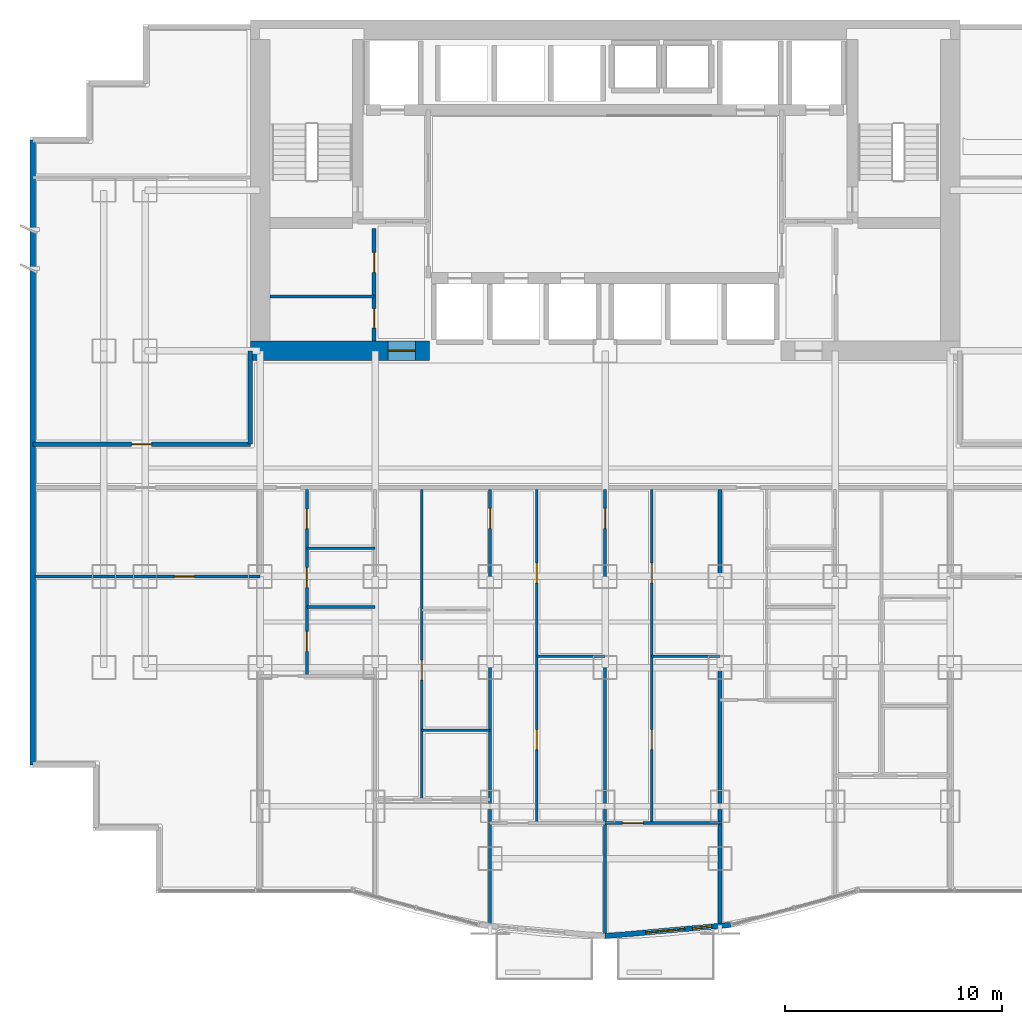
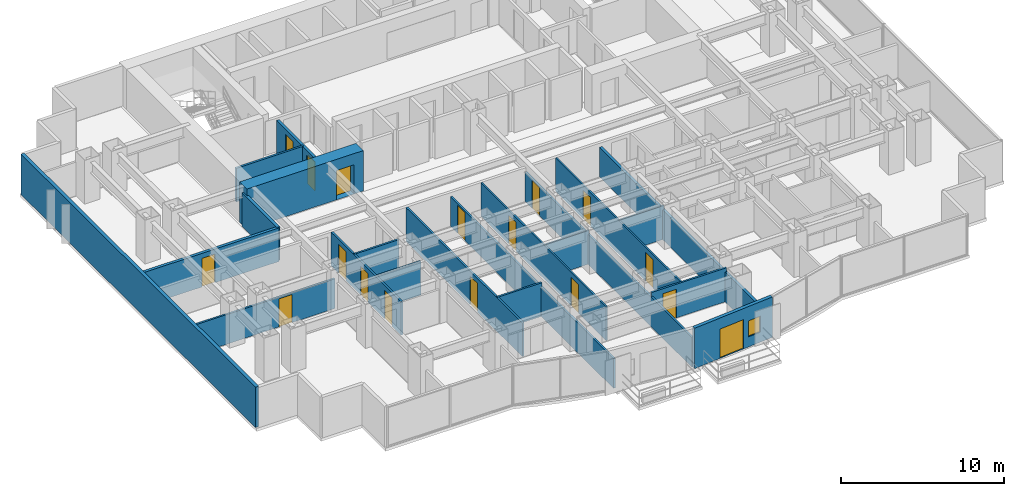
# One storey, part 7 of 12: 21 walls, 17 doors, 1 window, 18 openings.
"""IFC4 building model written with IfcOpenShell, lengths in metres."""

from ifc_helpers import new_model, si_unit, direction, frame, frame_2d, origin, place, context, subcontext, project, spatial, rectangle, extrude, material, layer, layer_set, type_object, element, fill, save


model = new_model("IFC4")

# Units and contexts
model_context = context("Model", 3, precision=1e-05, world=origin(), true_north=direction((0.0, 1.0)))
body_context = subcontext(model_context, "Body", "Model", "MODEL_VIEW")
ifc_project = project(units=[si_unit("LENGTHUNIT", "METRE"), si_unit("AREAUNIT", "SQUARE_METRE"), si_unit("VOLUMEUNIT", "CUBIC_METRE"), si_unit("PLANEANGLEUNIT", "RADIAN"), si_unit("MASSUNIT", "GRAM", prefix="KILO")], contexts=[model_context])

# Site, building, storey
site_placement = place(None, origin())
site = spatial("IfcSite", under=ifc_project, at=site_placement, CompositionType="ELEMENT")
building_placement = place(site_placement, origin())
building = spatial("IfcBuilding", under=site, at=building_placement, Name="Qianlan Lanfeng Residences", CompositionType="ELEMENT")
storey_placement = place(building_placement, frame((0.0, 0.0, 67.10009765625)))
storey = spatial("IfcBuildingStorey", under=building, at=storey_placement, Name="L18", CompositionType="ELEMENT", Elevation=67.10009765625)

# Wall, opening, door
ifc_material_1 = material(Name="Concrete C70", Category="concrete")
ifc_layer_1 = layer(ifc_material_1, 0.89990234375)
ifc_layer_set_1 = layer_set([ifc_layer_1], Name="Concrete C70")
wall_type_1 = type_object("IfcWallType", Name="CW-RC-900", PredefinedType="SHEAR", material=ifc_layer_set_1)
wall_1_placement = place(storey_placement, frame((10.14990234375, 25.199951171875, 0.0), z_axis=(0.0, 0.0, 1.0), x_axis=(1.0, 0.0, 0.0)))
wall_1 = element("IfcWall", 1, at=wall_1_placement, inside=storey, type_object=wall_type_1, Name="L18 Core Shear Wall SW", PredefinedType="SHEAR", context=body_context, shape_type="SweptSolid", body=[
    extrude(rectangle(XDim=8.25, YDim=0.89990234375, at=frame_2d((4.125, 0.0))), origin(), (0.0, 0.0, 1.0), 3.02978515625),
])
opening_1_placement = place(wall_1_placement, frame((6.35009765625, 0.0, 0.0)))
opening_1 = element("IfcOpeningElement", 2, at=opening_1_placement, cuts=wall_1, Name="Opening L18-D01", PredefinedType="OPENING", context=body_context, shape_type="SweptSolid", body=[
    extrude(rectangle(XDim=1.25, YDim=2.199951171875, at=frame_2d((0.625, 1.10009765625))), frame((0.0, 0.4599609375, 0.0), z_axis=(0.0, -1.0, 0.0), x_axis=(1.0, 0.0, 0.0)), (0.0, 0.0, 1.0), 0.919921875),
])
ifc_material_2 = material(Name="Painted Galvanised Steel Fire Door", Category="steel")
door_type_1 = type_object("IfcDoorType", Name="DT-FFL", OperationType="NOTDEFINED", PredefinedType="DOOR", material=ifc_material_2)
door_1_placement = place(opening_1_placement, frame((1.25, 0.0, 0.0), z_axis=(0.0, 0.0, 1.0), x_axis=(-1.0, 0.0, 0.0)))
door_1 = element("IfcDoor", 3, at=door_1_placement, inside=storey, type_object=door_type_1, Name="L18 West Core Lobby Smoke Door L18-D01 (DT-FFL)", OperationType="SINGLE_SWING_RIGHT", OverallHeight=2.199951171875, OverallWidth=1.25, PredefinedType="DOOR", context=body_context, shape_type="SweptSolid", body=[
    extrude(rectangle(XDim=1.25, YDim=2.199951171875, at=frame_2d((0.625, 1.10009765625))), frame((0.0, 0.02490234375, 0.0), z_axis=(0.0, -1.0, 0.0), x_axis=(1.0, 0.0, 0.0)), (0.0, 0.0, 1.0), 0.050048828125),
])
fill(opening_1, door_1)

# Wall, openings, door, window
ifc_material_3 = material(Name="Concrete C42", Category="concrete")
ifc_layer_2 = layer(ifc_material_3, 0.239990234375)
ifc_layer_set_2 = layer_set([ifc_layer_2], Name="Concrete C42")
wall_type_2 = type_object("IfcWallType", Name="EW-240", PredefinedType="SOLIDWALL", material=ifc_layer_set_2)
wall_2_placement = place(storey_placement, frame((26.5, -1.780029296875, 0.0), z_axis=(0.0, 0.0, 1.0), x_axis=(0.995965344947, 0.089738685436, 0.0)))
wall_2 = element("IfcWall", 4, at=wall_2_placement, inside=storey, type_object=wall_type_2, Name="L18 Terrace/Balcony Access Exterior Wall 6", PredefinedType="SOLIDWALL", context=body_context, shape_type="SweptSolid", body=[
    extrude(rectangle(XDim=5.827392578125, YDim=0.239990234375, at=frame_2d((2.91357421875, 0.0))), origin(), (0.0, 0.0, 1.0), 3.02978515625),
])
opening_2_placement = place(wall_2_placement, frame((1.8798828125, 0.0, 0.0)))
opening_2 = element("IfcOpeningElement", 5, at=opening_2_placement, cuts=wall_2, Name="Opening L18-D-SB-E", PredefinedType="OPENING", context=body_context, shape_type="SweptSolid", body=[
    extrude(rectangle(XDim=1.800048828125, YDim=2.199951171875, at=frame_2d((0.89990234375, 1.10009765625))), frame((0.0, 0.1298828125, 0.0), z_axis=(0.0, -1.0, 0.0), x_axis=(1.0, 0.0, 0.0)), (0.0, 0.0, 1.0), 0.260009765625),
])
opening_3_placement = place(wall_2_placement, frame((4.0390625, 0.0, 0.75)))
opening_3 = element("IfcOpeningElement", 6, at=opening_3_placement, cuts=wall_2, Name="Opening W-04", PredefinedType="OPENING", context=body_context, shape_type="SweptSolid", body=[
    extrude(rectangle(XDim=0.89990234375, YDim=1.199951171875, at=frame_2d((0.449951171875, 0.60009765625))), frame((0.0, 0.1298828125, 0.0), z_axis=(0.0, -1.0, 0.0), x_axis=(1.0, 0.0, 0.0)), (0.0, 0.0, 1.0), 0.260009765625),
])
ifc_material_4 = material(Name="Anodised Bronze Aluminium Framed Glass", Category="aluminium")
door_type_2 = type_object("IfcDoorType", Name="DT-BAL1", OperationType="NOTDEFINED", PredefinedType="DOOR", material=ifc_material_4)
door_2_placement = place(opening_2_placement, frame((1.800048828125, 0.0, 0.0), z_axis=(0.0, 0.0, 1.0), x_axis=(-1.0, 0.0, 0.0)))
door_2 = element("IfcDoor", 7, at=door_2_placement, inside=storey, type_object=door_type_2, Name="L18 Exterior Access Door SB-E", OperationType="DOUBLE_DOOR_SLIDING", OverallHeight=2.199951171875, OverallWidth=1.800048828125, PredefinedType="DOOR", context=body_context, shape_type="SweptSolid", body=[
    extrude(rectangle(XDim=1.800048828125, YDim=2.199951171875, at=frame_2d((0.89990234375, 1.10009765625))), frame((0.0, 0.02490234375, 0.0), z_axis=(0.0, -1.0, 0.0), x_axis=(1.0, 0.0, 0.0)), (0.0, 0.0, 1.0), 0.050048828125),
])
fill(opening_2, door_2)
ifc_material_5 = material(Name="Anodised Bronze Aluminium Framed Double Glazing", Category="aluminium")
window_type = type_object("IfcWindowType", Name="W-04", PartitioningType="SINGLE_PANEL", PredefinedType="WINDOW", material=ifc_material_5)
window_placement = place(opening_3_placement, origin())
window = element("IfcWindow", 8, at=window_placement, inside=storey, type_object=window_type, Name="L18 Exterior Window W-03", OverallHeight=1.199951171875, OverallWidth=0.89990234375, PartitioningType="SINGLE_PANEL", PredefinedType="WINDOW", context=body_context, shape_type="SweptSolid", body=[
    extrude(rectangle(XDim=0.89990234375, YDim=1.199951171875, at=frame_2d((0.449951171875, 0.60009765625))), frame((0.0, 0.030029296875, 0.0), z_axis=(0.0, -1.0, 0.0), x_axis=(1.0, 0.0, 0.0)), (0.0, 0.0, 1.0), 0.06005859375),
])
fill(opening_3, window)

# Wall
wall_3_placement = place(storey_placement, frame((0.1201171875, 34.929931640625, 0.0), z_axis=(0.0, 0.0, 1.0), x_axis=(0.0, -1.0, 0.0)))
element("IfcWall", 9, at=wall_3_placement, inside=storey, type_object=wall_type_2, Name="L18 Exterior Facade Spandrel Wall 21", PredefinedType="SOLIDWALL", context=body_context, shape_type="SweptSolid", body=[
    extrude(rectangle(XDim=28.809814453125, YDim=0.239990234375, at=frame_2d((14.40478515625, 0.0))), origin(), (0.0, 0.0, 1.0), 3.02978515625),
])

# Wall, openings, doors
ifc_material_6 = material(Name="Demountable Acoustic Framing Partition 110 mm")
ifc_layer_3 = layer(ifc_material_6, 0.110107421875)
ifc_layer_set_3 = layer_set([ifc_layer_3], Name="Demountable Acoustic Framing Partition 110 mm")
wall_type_3 = type_object("IfcWallType", Name="PW-110", PredefinedType="MOVABLE", material=ifc_layer_set_3)
wall_4_placement = place(storey_placement, frame((23.35009765625, 3.43408203125, 0.0), z_axis=(0.0, 0.0, 1.0), x_axis=(0.0, 1.0, 0.0)))
wall_4 = element("IfcWall", 10, at=wall_4_placement, inside=storey, type_object=wall_type_3, Name="L18 U01 Bedroom 2 Hall Wall", PredefinedType="MOVABLE", context=body_context, shape_type="SweptSolid", body=[
    extrude(rectangle(XDim=15.365966796875, YDim=0.110107421875, at=frame_2d((7.68310546875, 0.0))), origin(), (0.0, 0.0, 1.0), 2.52001953125),
])
opening_4_placement = place(wall_4_placement, frame((3.381103515625, 0.0, 0.0)))
opening_4 = element("IfcOpeningElement", 11, at=opening_4_placement, cuts=wall_4, Name="Opening L18-D27", PredefinedType="OPENING", context=body_context, shape_type="SweptSolid", body=[
    extrude(rectangle(XDim=0.919921875, YDim=2.14990234375, at=frame_2d((0.4599609375, 1.074951171875))), frame((0.0, 0.06494140625, 0.0), z_axis=(0.0, -1.0, 0.0), x_axis=(1.0, 0.0, 0.0)), (0.0, 0.0, 1.0), 0.130126953125),
])
opening_5_placement = place(wall_4_placement, frame((11.06494140625, 0.0, 0.0)))
opening_5 = element("IfcOpeningElement", 12, at=opening_5_placement, cuts=wall_4, Name="Opening L18-D28", PredefinedType="OPENING", context=body_context, shape_type="SweptSolid", body=[
    extrude(rectangle(XDim=0.919921875, YDim=2.14990234375, at=frame_2d((0.4599609375, 1.074951171875))), frame((0.0, 0.06494140625, 0.0), z_axis=(0.0, -1.0, 0.0), x_axis=(1.0, 0.0, 0.0)), (0.0, 0.0, 1.0), 0.130126953125),
])
ifc_material_7 = material(Name="Glazed Timber Kitchen/Study Door", Category="wood")
door_type_3 = type_object("IfcDoorType", Name="DT-INT", OperationType="NOTDEFINED", PredefinedType="DOOR", material=ifc_material_7)
door_3_placement = place(opening_4_placement, origin())
door_3 = element("IfcDoor", 13, at=door_3_placement, inside=storey, type_object=door_type_3, Name="L18 U01 Utility Door L18-D27 (DT-INT)", OperationType="SINGLE_SWING_LEFT", OverallHeight=2.14990234375, OverallWidth=0.919921875, PredefinedType="DOOR", context=body_context, shape_type="SweptSolid", body=[
    extrude(rectangle(XDim=0.919921875, YDim=2.14990234375, at=frame_2d((0.4599609375, 1.074951171875))), frame((0.0, 0.02490234375, 0.0), z_axis=(0.0, -1.0, 0.0), x_axis=(1.0, 0.0, 0.0)), (0.0, 0.0, 1.0), 0.050048828125),
])
fill(opening_4, door_3)
door_4_placement = place(opening_5_placement, origin())
door_4 = element("IfcDoor", 14, at=door_4_placement, inside=storey, type_object=door_type_3, Name="L18 U01 Specialty Door L18-D28 (DT-INT)", OperationType="SINGLE_SWING_RIGHT", OverallHeight=2.14990234375, OverallWidth=0.919921875, PredefinedType="DOOR", context=body_context, shape_type="SweptSolid", body=[
    extrude(rectangle(XDim=0.919921875, YDim=2.14990234375, at=frame_2d((0.4599609375, 1.074951171875))), frame((0.0, 0.02490234375, 0.0), z_axis=(0.0, -1.0, 0.0), x_axis=(1.0, 0.0, 0.0)), (0.0, 0.0, 1.0), 0.050048828125),
])
fill(opening_5, door_4)

# Wall
wall_5_placement = place(storey_placement, frame((23.35009765625, 11.116943359375, 0.0), z_axis=(0.0, 0.0, 1.0), x_axis=(1.0, 0.0, 0.0)))
element("IfcWall", 15, at=wall_5_placement, inside=storey, type_object=wall_type_3, Name="L18 U01 Specialty Split Wall", PredefinedType="MOVABLE", context=body_context, shape_type="SweptSolid", body=[
    extrude(rectangle(XDim=3.14990234375, YDim=0.110107421875, at=frame_2d((1.574951171875, 0.0))), origin(), (0.0, 0.0, 1.0), 2.52001953125),
])

# Wall, openings, doors
wall_6_placement = place(storey_placement, frame((28.64990234375, 3.43408203125, 0.0), z_axis=(0.0, 0.0, 1.0), x_axis=(0.0, 1.0, 0.0)))
wall_6 = element("IfcWall", 16, at=wall_6_placement, inside=storey, type_object=wall_type_3, Name="L18 U01 Bedroom 3 Hall Wall", PredefinedType="MOVABLE", context=body_context, shape_type="SweptSolid", body=[
    extrude(rectangle(XDim=15.365966796875, YDim=0.110107421875, at=frame_2d((7.68310546875, 0.0))), origin(), (0.0, 0.0, 1.0), 2.52001953125),
])
opening_6_placement = place(wall_6_placement, frame((3.381103515625, 0.0, 0.0)))
opening_6 = element("IfcOpeningElement", 17, at=opening_6_placement, cuts=wall_6, Name="Opening L18-D30", PredefinedType="OPENING", context=body_context, shape_type="SweptSolid", body=[
    extrude(rectangle(XDim=0.919921875, YDim=2.14990234375, at=frame_2d((0.4599609375, 1.074951171875))), frame((0.0, 0.06494140625, 0.0), z_axis=(0.0, -1.0, 0.0), x_axis=(1.0, 0.0, 0.0)), (0.0, 0.0, 1.0), 0.130126953125),
])
opening_7_placement = place(wall_6_placement, frame((11.06494140625, 0.0, 0.0)))
opening_7 = element("IfcOpeningElement", 18, at=opening_7_placement, cuts=wall_6, Name="Opening L18-D31", PredefinedType="OPENING", context=body_context, shape_type="SweptSolid", body=[
    extrude(rectangle(XDim=0.919921875, YDim=2.14990234375, at=frame_2d((0.4599609375, 1.074951171875))), frame((0.0, 0.06494140625, 0.0), z_axis=(0.0, -1.0, 0.0), x_axis=(1.0, 0.0, 0.0)), (0.0, 0.0, 1.0), 0.130126953125),
])
door_5_placement = place(opening_6_placement, origin())
door_5 = element("IfcDoor", 19, at=door_5_placement, inside=storey, type_object=door_type_3, Name="L18 U01 Utility Door L18-D30 (DT-INT)", OperationType="SINGLE_SWING_RIGHT", OverallHeight=2.14990234375, OverallWidth=0.919921875, PredefinedType="DOOR", context=body_context, shape_type="SweptSolid", body=[
    extrude(rectangle(XDim=0.919921875, YDim=2.14990234375, at=frame_2d((0.4599609375, 1.074951171875))), frame((0.0, 0.02490234375, 0.0), z_axis=(0.0, -1.0, 0.0), x_axis=(1.0, 0.0, 0.0)), (0.0, 0.0, 1.0), 0.050048828125),
])
fill(opening_6, door_5)
door_6_placement = place(opening_7_placement, origin())
door_6 = element("IfcDoor", 20, at=door_6_placement, inside=storey, type_object=door_type_3, Name="L18 U01 Specialty Door L18-D31 (DT-INT)", OperationType="SINGLE_SWING_LEFT", OverallHeight=2.14990234375, OverallWidth=0.919921875, PredefinedType="DOOR", context=body_context, shape_type="SweptSolid", body=[
    extrude(rectangle(XDim=0.919921875, YDim=2.14990234375, at=frame_2d((0.4599609375, 1.074951171875))), frame((0.0, 0.02490234375, 0.0), z_axis=(0.0, -1.0, 0.0), x_axis=(1.0, 0.0, 0.0)), (0.0, 0.0, 1.0), 0.050048828125),
])
fill(opening_7, door_6)

# Wall
wall_7_placement = place(storey_placement, frame((28.64990234375, 11.116943359375, 0.0), z_axis=(0.0, 0.0, 1.0), x_axis=(1.0, 0.0, 0.0)))
element("IfcWall", 21, at=wall_7_placement, inside=storey, type_object=wall_type_3, Name="L18 U01 Specialty Split Wall", PredefinedType="MOVABLE", context=body_context, shape_type="SweptSolid", body=[
    extrude(rectangle(XDim=3.150146484375, YDim=0.110107421875, at=frame_2d((1.5751953125, 0.0))), origin(), (0.0, 0.0, 1.0), 2.52001953125),
])

# Wall, opening, door
ifc_material_8 = material(Name="Moisture-Resistant Gypsum Partition 135 mm")
ifc_layer_4 = layer(ifc_material_8, 0.135009765625)
ifc_layer_set_4 = layer_set([ifc_layer_4], Name="Moisture-Resistant Gypsum Partition 135 mm")
wall_type_4 = type_object("IfcWallType", Name="PW-135", PredefinedType="PARTITIONING", material=ifc_layer_set_4)
wall_8_placement = place(storey_placement, frame((21.199951171875, -1.235107421875, 0.0), z_axis=(0.0, 0.0, 1.0), x_axis=(0.0, 1.0, 0.0)))
wall_8 = element("IfcWall", 22, at=wall_8_placement, inside=storey, type_object=wall_type_4, Name="L18 U01 Bay Spine Wall 2", PredefinedType="PARTITIONING", context=body_context, shape_type="SweptSolid", body=[
    extrude(rectangle(XDim=20.03515625, YDim=0.135009765625, at=frame_2d((10.017578125, 0.0))), origin(), (0.0, 0.0, 1.0), 2.224853515625),
])
opening_8_placement = place(wall_8_placement, frame((18.25, 0.0, 0.0)))
opening_8 = element("IfcOpeningElement", 23, at=opening_8_placement, cuts=wall_8, Name="Opening L18-D16", PredefinedType="OPENING", context=body_context, shape_type="SweptSolid", body=[
    extrude(rectangle(XDim=0.919921875, YDim=2.10498046875, at=frame_2d((0.4599609375, 1.052490234375))), frame((0.0, 0.07763671875, 0.0), z_axis=(0.0, -1.0, 0.0), x_axis=(1.0, 0.0, 0.0)), (0.0, 0.0, 1.0), 0.155029296875),
])
door_7_placement = place(opening_8_placement, origin())
door_7 = element("IfcDoor", 24, at=door_7_placement, inside=storey, type_object=door_type_3, Name="L18 U01 Internal Hall Door L18-D16 (DT-INT)", OperationType="SINGLE_SWING_RIGHT", OverallHeight=2.10498046875, OverallWidth=0.919921875, PredefinedType="DOOR", context=body_context, shape_type="SweptSolid", body=[
    extrude(rectangle(XDim=0.919921875, YDim=2.10498046875, at=frame_2d((0.4599609375, 1.052490234375))), frame((0.0, 0.02490234375, 0.0), z_axis=(0.0, -1.0, 0.0), x_axis=(1.0, 0.0, 0.0)), (0.0, 0.0, 1.0), 0.050048828125),
])
fill(opening_8, door_7)

wall_9_placement = place(storey_placement, frame((26.5, -1.679931640625, 0.0), z_axis=(0.0, 0.0, 1.0), x_axis=(0.0, 1.0, 0.0)))
wall_9 = element("IfcWall", 25, at=wall_9_placement, inside=storey, type_object=wall_type_4, Name="L18 U01 Bay Spine Wall 3", PredefinedType="PARTITIONING", context=body_context, shape_type="SweptSolid", body=[
    extrude(rectangle(XDim=20.47998046875, YDim=0.135009765625, at=frame_2d((10.239990234375, 0.0))), origin(), (0.0, 0.0, 1.0), 2.224853515625),
])
opening_9_placement = place(wall_9_placement, frame((18.695068359375, 0.0, 0.0)))
opening_9 = element("IfcOpeningElement", 26, at=opening_9_placement, cuts=wall_9, Name="Opening L18-D17", PredefinedType="OPENING", context=body_context, shape_type="SweptSolid", body=[
    extrude(rectangle(XDim=0.919921875, YDim=2.10498046875, at=frame_2d((0.4599609375, 1.052490234375))), frame((0.0, 0.07763671875, 0.0), z_axis=(0.0, -1.0, 0.0), x_axis=(1.0, 0.0, 0.0)), (0.0, 0.0, 1.0), 0.155029296875),
])
door_8_placement = place(opening_9_placement, origin())
door_8 = element("IfcDoor", 27, at=door_8_placement, inside=storey, type_object=door_type_3, Name="L18 U01 Internal Hall Door L18-D17 (DT-INT)", OperationType="SINGLE_SWING_LEFT", OverallHeight=2.10498046875, OverallWidth=0.919921875, PredefinedType="DOOR", context=body_context, shape_type="SweptSolid", body=[
    extrude(rectangle(XDim=0.919921875, YDim=2.10498046875, at=frame_2d((0.4599609375, 1.052490234375))), frame((0.0, 0.02490234375, 0.0), z_axis=(0.0, -1.0, 0.0), x_axis=(1.0, 0.0, 0.0)), (0.0, 0.0, 1.0), 0.050048828125),
])
fill(opening_9, door_8)

# Wall, openings, doors
wall_10_placement = place(storey_placement, frame((12.75, 10.219970703125, 0.0), z_axis=(0.0, 0.0, 1.0), x_axis=(0.0, 1.0, 0.0)))
wall_10 = element("IfcWall", 28, at=wall_10_placement, inside=storey, type_object=wall_type_4, Name="L18 U01 Entry Hall Spine", PredefinedType="PARTITIONING", context=body_context, shape_type="SweptSolid", body=[
    extrude(rectangle(XDim=8.580078125, YDim=0.135009765625, at=frame_2d((4.2900390625, 0.0))), origin(), (0.0, 0.0, 1.0), 2.52001953125),
])
opening_10_placement = place(wall_10_placement, frame((1.1298828125, 0.0, 0.0)))
opening_10 = element("IfcOpeningElement", 29, at=opening_10_placement, cuts=wall_10, Name="Opening L18-D19", PredefinedType="OPENING", context=body_context, shape_type="SweptSolid", body=[
    extrude(rectangle(XDim=0.919921875, YDim=2.14990234375, at=frame_2d((0.4599609375, 1.074951171875))), frame((0.0, 0.07763671875, 0.0), z_axis=(0.0, -1.0, 0.0), x_axis=(1.0, 0.0, 0.0)), (0.0, 0.0, 1.0), 0.155029296875),
])
opening_11_placement = place(wall_10_placement, frame((4.070068359375, 0.0, 0.0)))
opening_11 = element("IfcOpeningElement", 30, at=opening_11_placement, cuts=wall_10, Name="Opening L18-D20", PredefinedType="OPENING", context=body_context, shape_type="SweptSolid", body=[
    extrude(rectangle(XDim=0.919921875, YDim=2.14990234375, at=frame_2d((0.4599609375, 1.074951171875))), frame((0.0, 0.07763671875, 0.0), z_axis=(0.0, -1.0, 0.0), x_axis=(1.0, 0.0, 0.0)), (0.0, 0.0, 1.0), 0.155029296875),
])
opening_12_placement = place(wall_10_placement, frame((6.780029296875, 0.0, 0.0)))
opening_12 = element("IfcOpeningElement", 31, at=opening_12_placement, cuts=wall_10, Name="Opening L18-D21", PredefinedType="OPENING", context=body_context, shape_type="SweptSolid", body=[
    extrude(rectangle(XDim=0.89990234375, YDim=2.14990234375, at=frame_2d((0.449951171875, 1.074951171875))), frame((0.0, 0.07763671875, 0.0), z_axis=(0.0, -1.0, 0.0), x_axis=(1.0, 0.0, 0.0)), (0.0, 0.0, 1.0), 0.155029296875),
])
door_9_placement = place(opening_10_placement, origin())
door_9 = element("IfcDoor", 32, at=door_9_placement, inside=storey, type_object=door_type_3, Name="L18 U01 Study Door L18-D19 (DT-INT)", OperationType="SINGLE_SWING_LEFT", OverallHeight=2.14990234375, OverallWidth=0.919921875, PredefinedType="DOOR", context=body_context, shape_type="SweptSolid", body=[
    extrude(rectangle(XDim=0.919921875, YDim=2.14990234375, at=frame_2d((0.4599609375, 1.074951171875))), frame((0.0, 0.02490234375, 0.0), z_axis=(0.0, -1.0, 0.0), x_axis=(1.0, 0.0, 0.0)), (0.0, 0.0, 1.0), 0.050048828125),
])
fill(opening_10, door_9)
door_10_placement = place(opening_11_placement, origin())
door_10 = element("IfcDoor", 33, at=door_10_placement, inside=storey, type_object=door_type_3, Name="L18 U01 Kitchen Door L18-D20 (DT-INT)", OperationType="SINGLE_SWING_RIGHT", OverallHeight=2.14990234375, OverallWidth=0.919921875, PredefinedType="DOOR", context=body_context, shape_type="SweptSolid", body=[
    extrude(rectangle(XDim=0.919921875, YDim=2.14990234375, at=frame_2d((0.4599609375, 1.074951171875))), frame((0.0, 0.02490234375, 0.0), z_axis=(0.0, -1.0, 0.0), x_axis=(1.0, 0.0, 0.0)), (0.0, 0.0, 1.0), 0.050048828125),
])
fill(opening_11, door_10)
ifc_material_9 = material(Name="Moisture-Resistant Timber Leaf", Category="wood")
door_type_4 = type_object("IfcDoorType", Name="DT-WC", OperationType="NOTDEFINED", PredefinedType="DOOR", material=ifc_material_9)
door_11_placement = place(opening_12_placement, origin())
door_11 = element("IfcDoor", 34, at=door_11_placement, inside=storey, type_object=door_type_4, Name="L18 U01 Bathroom Door L18-D21 (DT-WC)", OperationType="SINGLE_SWING_LEFT", OverallHeight=2.14990234375, OverallWidth=0.89990234375, PredefinedType="DOOR", context=body_context, shape_type="SweptSolid", body=[
    extrude(rectangle(XDim=0.89990234375, YDim=2.14990234375, at=frame_2d((0.449951171875, 1.074951171875))), frame((0.0, 0.02490234375, 0.0), z_axis=(0.0, -1.0, 0.0), x_axis=(1.0, 0.0, 0.0)), (0.0, 0.0, 1.0), 0.050048828125),
])
fill(opening_12, door_11)

# Walls
for number, where, z_axis, x_axis, name in (
    (35, (12.75, 13.39990234375, 0.0), (0.0, 0.0, 1.0), (1.0, 0.0, 0.0), "L18 U01 Kitchen South Wall"),
    (36, (12.75, 16.10009765625, 0.0), (0.0, 0.0, 1.0), (1.0, 0.0, 0.0), "L18 U01 Bathroom South Wall"),
):
    element("IfcWall", number, at=place(storey_placement, frame(where, z_axis=z_axis, x_axis=x_axis)), inside=storey, type_object=wall_type_4, Name=name, PredefinedType="PARTITIONING", context=body_context, shape_type="SweptSolid", body=[
        extrude(rectangle(XDim=3.14990234375, YDim=0.135009765625, at=frame_2d((1.574951171875, 0.0))), origin(), (0.0, 0.0, 1.0), 2.52001953125),
    ])

# Wall, opening, door
wall_11_placement = place(storey_placement, frame((18.050048828125, 4.511962890625, 0.0), z_axis=(0.0, 0.0, 1.0), x_axis=(0.0, 1.0, 0.0)))
wall_11 = element("IfcWall", 37, at=wall_11_placement, inside=storey, type_object=wall_type_4, Name="L18 U01 Master Passage Wall", PredefinedType="PARTITIONING", context=body_context, shape_type="SweptSolid", body=[
    extrude(rectangle(XDim=14.2880859375, YDim=0.135009765625, at=frame_2d((7.14404296875, 0.0))), origin(), (0.0, 0.0, 1.0), 2.52001953125),
])
opening_13_placement = place(wall_11_placement, frame((5.511962890625, 0.0, 0.0)))
opening_13 = element("IfcOpeningElement", 38, at=opening_13_placement, cuts=wall_11, Name="Opening L18-D24", PredefinedType="OPENING", context=body_context, shape_type="SweptSolid", body=[
    extrude(rectangle(XDim=0.919921875, YDim=2.14990234375, at=frame_2d((0.4599609375, 1.074951171875))), frame((0.0, 0.07763671875, 0.0), z_axis=(0.0, -1.0, 0.0), x_axis=(1.0, 0.0, 0.0)), (0.0, 0.0, 1.0), 0.155029296875),
])
door_12_placement = place(opening_13_placement, origin())
door_12 = element("IfcDoor", 39, at=door_12_placement, inside=storey, type_object=door_type_3, Name="L18 U01 Wardrobe Door L18-D24 (DT-INT)", OperationType="SINGLE_SWING_RIGHT", OverallHeight=2.14990234375, OverallWidth=0.919921875, PredefinedType="DOOR", context=body_context, shape_type="SweptSolid", body=[
    extrude(rectangle(XDim=0.919921875, YDim=2.14990234375, at=frame_2d((0.4599609375, 1.074951171875))), frame((0.0, 0.02490234375, 0.0), z_axis=(0.0, -1.0, 0.0), x_axis=(1.0, 0.0, 0.0)), (0.0, 0.0, 1.0), 0.050048828125),
])
fill(opening_13, door_12)

# Wall
wall_12_placement = place(storey_placement, frame((18.050048828125, 7.7119140625, 0.0), z_axis=(0.0, 0.0, 1.0), x_axis=(1.0, 0.0, 0.0)))
element("IfcWall", 40, at=wall_12_placement, inside=storey, type_object=wall_type_4, Name="L18 U01 En-Suite North Wall", PredefinedType="PARTITIONING", context=body_context, shape_type="SweptSolid", body=[
    extrude(rectangle(XDim=3.14990234375, YDim=0.135009765625, at=frame_2d((1.574951171875, 0.0))), origin(), (0.0, 0.0, 1.0), 2.52001953125),
])

# Wall, opening, door
wall_13_placement = place(storey_placement, frame((26.5, 3.43408203125, 0.0), z_axis=(0.0, 0.0, 1.0), x_axis=(1.0, 0.0, 0.0)))
wall_13 = element("IfcWall", 41, at=wall_13_placement, inside=storey, type_object=wall_type_4, Name="L18 U01 Bedroom 3 North Wall", PredefinedType="PARTITIONING", context=body_context, shape_type="SweptSolid", body=[
    extrude(rectangle(XDim=5.300048828125, YDim=0.135009765625, at=frame_2d((2.64990234375, 0.0))), origin(), (0.0, 0.0, 1.0), 2.52001953125),
])
opening_14_placement = place(wall_13_placement, frame((0.800048828125, 0.0, 0.0)))
opening_14 = element("IfcOpeningElement", 42, at=opening_14_placement, cuts=wall_13, Name="Opening L18-D29", PredefinedType="OPENING", context=body_context, shape_type="SweptSolid", body=[
    extrude(rectangle(XDim=0.949951171875, YDim=2.14990234375, at=frame_2d((0.47509765625, 1.074951171875))), frame((0.0, 0.07763671875, 0.0), z_axis=(0.0, -1.0, 0.0), x_axis=(1.0, 0.0, 0.0)), (0.0, 0.0, 1.0), 0.155029296875),
])
ifc_material_10 = material(Name="Painted Solid-Core Timber Leaf", Category="wood")
door_type_5 = type_object("IfcDoorType", Name="DT-BED", OperationType="NOTDEFINED", PredefinedType="DOOR", material=ifc_material_10)
door_13_placement = place(opening_14_placement, frame((0.949951171875, 0.0, 0.0), z_axis=(0.0, 0.0, 1.0), x_axis=(-1.0, 0.0, 0.0)))
door_13 = element("IfcDoor", 43, at=door_13_placement, inside=storey, type_object=door_type_5, Name="L18 U01 Bedroom 3 Door L18-D29 (DT-BED)", OperationType="SINGLE_SWING_LEFT", OverallHeight=2.14990234375, OverallWidth=0.949951171875, PredefinedType="DOOR", context=body_context, shape_type="SweptSolid", body=[
    extrude(rectangle(XDim=0.949951171875, YDim=2.14990234375, at=frame_2d((0.47509765625, 1.074951171875))), frame((0.0, 0.02490234375, 0.0), z_axis=(0.0, -1.0, 0.0), x_axis=(1.0, 0.0, 0.0)), (0.0, 0.0, 1.0), 0.050048828125),
])
fill(opening_14, door_13)

wall_14_placement = place(storey_placement, frame((0.219970703125, 14.800048828125, 0.0), z_axis=(0.0, 0.0, 1.0), x_axis=(1.0, 0.0, 0.0)))
wall_14 = element("IfcWall", 44, at=wall_14_placement, inside=storey, type_object=wall_type_4, Name="L18 SWP Mid Partition", PredefinedType="PARTITIONING", context=body_context, shape_type="SweptSolid", body=[
    extrude(rectangle(XDim=10.380126953125, YDim=0.135009765625, at=frame_2d((5.18994140625, 0.0))), origin(), (0.0, 0.0, 1.0), 2.224853515625),
])
opening_15_placement = place(wall_14_placement, frame((6.429931640625, 0.0, 0.0)))
opening_15 = element("IfcOpeningElement", 45, at=opening_15_placement, cuts=wall_14, Name="Opening L18-D42", PredefinedType="OPENING", context=body_context, shape_type="SweptSolid", body=[
    extrude(rectangle(XDim=0.919921875, YDim=2.10498046875, at=frame_2d((0.4599609375, 1.052490234375))), frame((0.0, 0.07763671875, 0.0), z_axis=(0.0, -1.0, 0.0), x_axis=(1.0, 0.0, 0.0)), (0.0, 0.0, 1.0), 0.155029296875),
])
door_14_placement = place(opening_15_placement, origin())
door_14 = element("IfcDoor", 46, at=door_14_placement, inside=storey, type_object=door_type_3, Name="L18 SWP Inner Door L18-D42 (DT-INT)", OperationType="SINGLE_SWING_RIGHT", OverallHeight=2.10498046875, OverallWidth=0.919921875, PredefinedType="DOOR", context=body_context, shape_type="SweptSolid", body=[
    extrude(rectangle(XDim=0.919921875, YDim=2.10498046875, at=frame_2d((0.4599609375, 1.052490234375))), frame((0.0, 0.02490234375, 0.0), z_axis=(0.0, -1.0, 0.0), x_axis=(1.0, 0.0, 0.0)), (0.0, 0.0, 1.0), 0.050048828125),
])
fill(opening_15, door_14)

# Wall
ifc_material_11 = material(Name="Acoustic Drywall Partition 150 mm")
ifc_layer_5 = layer(ifc_material_11, 0.14990234375)
ifc_layer_set_5 = layer_set([ifc_layer_5], Name="Acoustic Drywall Partition 150 mm")
wall_type_5 = type_object("IfcWallType", Name="PW-150", PredefinedType="PARTITIONING", material=ifc_layer_set_5)
wall_15_placement = place(storey_placement, frame((11.050048828125, 27.699951171875, 0.0), z_axis=(0.0, 0.0, 1.0), x_axis=(1.0, 0.0, 0.0)))
element("IfcWall", 47, at=wall_15_placement, inside=storey, type_object=wall_type_5, Name="L18 Core West Split", PredefinedType="PARTITIONING", context=body_context, shape_type="SweptSolid", body=[
    extrude(rectangle(XDim=4.800048828125, YDim=0.14990234375, at=frame_2d((2.39990234375, 0.0))), origin(), (0.0, 0.0, 1.0), 2.52001953125),
])

# Wall, openings, doors
ifc_material_12 = material(Name="Double-Layer Acoustic Gypsum Stud Wall 180 mm")
ifc_layer_6 = layer(ifc_material_12, 0.179931640625)
ifc_layer_set_6 = layer_set([ifc_layer_6], Name="Double-Layer Acoustic Gypsum Stud Wall 180 mm")
wall_type_6 = type_object("IfcWallType", Name="PW-180", PredefinedType="PARTITIONING", material=ifc_layer_set_6)
wall_16_placement = place(storey_placement, frame((15.85009765625, 25.64990234375, 0.0), z_axis=(0.0, 0.0, 1.0), x_axis=(0.0, 1.0, 0.0)))
wall_16 = element("IfcWall", 48, at=wall_16_placement, inside=storey, type_object=wall_type_6, Name="L18 Core West Service Room Wall", PredefinedType="PARTITIONING", context=body_context, shape_type="SweptSolid", body=[
    extrude(rectangle(XDim=5.2001953125, YDim=0.179931640625, at=frame_2d((2.60009765625, 0.0))), origin(), (0.0, 0.0, 1.0), 2.52001953125),
])
opening_16_placement = place(wall_16_placement, frame((0.60009765625, 0.0, 0.0)))
opening_16 = element("IfcOpeningElement", 49, at=opening_16_placement, cuts=wall_16, Name="Opening L18-D09", PredefinedType="OPENING", context=body_context, shape_type="SweptSolid", body=[
    extrude(rectangle(XDim=0.89990234375, YDim=2.14990234375, at=frame_2d((0.449951171875, 1.074951171875))), frame((0.0, 0.10009765625, 0.0), z_axis=(0.0, -1.0, 0.0), x_axis=(1.0, 0.0, 0.0)), (0.0, 0.0, 1.0), 0.199951171875),
])
opening_17_placement = place(wall_16_placement, frame((3.1650390625, 0.0, 0.0)))
opening_17 = element("IfcOpeningElement", 50, at=opening_17_placement, cuts=wall_16, Name="Opening L18-D10", PredefinedType="OPENING", context=body_context, shape_type="SweptSolid", body=[
    extrude(rectangle(XDim=0.919921875, YDim=2.14990234375, at=frame_2d((0.4599609375, 1.074951171875))), frame((0.0, 0.10009765625, 0.0), z_axis=(0.0, -1.0, 0.0), x_axis=(1.0, 0.0, 0.0)), (0.0, 0.0, 1.0), 0.199951171875),
])
door_15_placement = place(opening_17_placement, origin())
door_15 = element("IfcDoor", 51, at=door_15_placement, inside=storey, type_object=door_type_3, Name="L18 Janitor Closet Door L18-D10 (DT-INT)", OperationType="SINGLE_SWING_RIGHT", OverallHeight=2.14990234375, OverallWidth=0.919921875, PredefinedType="DOOR", context=body_context, shape_type="SweptSolid", body=[
    extrude(rectangle(XDim=0.919921875, YDim=2.14990234375, at=frame_2d((0.4599609375, 1.074951171875))), frame((0.0, 0.02490234375, 0.0), z_axis=(0.0, -1.0, 0.0), x_axis=(1.0, 0.0, 0.0)), (0.0, 0.0, 1.0), 0.050048828125),
])
fill(opening_17, door_15)
door_16_placement = place(opening_16_placement, frame((0.89990234375, 0.0, 0.0), z_axis=(0.0, 0.0, 1.0), x_axis=(-1.0, 0.0, 0.0)))
door_16 = element("IfcDoor", 52, at=door_16_placement, inside=storey, type_object=door_type_4, Name="L18 Core Staff WC Door L18-D09 (DT-WC)", OperationType="SINGLE_SWING_RIGHT", OverallHeight=2.14990234375, OverallWidth=0.89990234375, PredefinedType="DOOR", context=body_context, shape_type="SweptSolid", body=[
    extrude(rectangle(XDim=0.89990234375, YDim=2.14990234375, at=frame_2d((0.449951171875, 1.074951171875))), frame((0.0, 0.02490234375, 0.0), z_axis=(0.0, -1.0, 0.0), x_axis=(1.0, 0.0, 0.0)), (0.0, 0.0, 1.0), 0.050048828125),
])
fill(opening_16, door_16)

# Wall
wall_17_placement = place(storey_placement, frame((31.800048828125, -1.235107421875, 0.0), z_axis=(0.0, 0.0, 1.0), x_axis=(0.0, 1.0, 0.0)))
element("IfcWall", 53, at=wall_17_placement, inside=storey, type_object=wall_type_6, Name="L18 Inter-Tenancy Party Wall 2", PredefinedType="PARTITIONING", context=body_context, shape_type="SweptSolid", body=[
    extrude(rectangle(XDim=20.03515625, YDim=0.179931640625, at=frame_2d((10.017578125, 0.0))), origin(), (0.0, 0.0, 1.0), 2.224853515625),
])

# Wall, opening, door
ifc_material_13 = material(Name="Autoclaved Aerated Concrete Blockwork 200 mm", Category="masonry")
ifc_layer_7 = layer(ifc_material_13, 0.199951171875)
ifc_layer_set_7 = layer_set([ifc_layer_7], Name="Autoclaved Aerated Concrete Blockwork 200 mm")
wall_type_7 = type_object("IfcWallType", Name="PW-200", PredefinedType="PARTITIONING", material=ifc_layer_set_7)
wall_18_placement = place(storey_placement, frame((0.1201171875, 20.89990234375, 0.0), z_axis=(0.0, 0.0, 1.0), x_axis=(1.0, 0.0, 0.0)))
wall_18 = element("IfcWall", 54, at=wall_18_placement, inside=storey, type_object=wall_type_7, Name="L18 Corridor NW Wall", PredefinedType="PARTITIONING", context=body_context, shape_type="SweptSolid", body=[
    extrude(rectangle(XDim=10.02978515625, YDim=0.199951171875, at=frame_2d((5.014892578125, 0.0))), origin(), (0.0, 0.0, 1.0), 2.52001953125),
])
opening_18_placement = place(wall_18_placement, frame((4.554931640625, 0.0, 0.0)))
opening_18 = element("IfcOpeningElement", 55, at=opening_18_placement, cuts=wall_18, Name="Opening L18-D47", PredefinedType="OPENING", context=body_context, shape_type="SweptSolid", body=[
    extrude(rectangle(XDim=0.919921875, YDim=2.14990234375, at=frame_2d((0.4599609375, 1.074951171875))), frame((0.0, 0.10986328125, 0.0), z_axis=(0.0, -1.0, 0.0), x_axis=(1.0, 0.0, 0.0)), (0.0, 0.0, 1.0), 0.219970703125),
])
door_17_placement = place(opening_18_placement, origin())
door_17 = element("IfcDoor", 56, at=door_17_placement, inside=storey, type_object=door_type_3, Name="L18 WW Amenity Salon Door L18-D47 (DT-INT)", OperationType="SINGLE_SWING_LEFT", OverallHeight=2.14990234375, OverallWidth=0.919921875, PredefinedType="DOOR", context=body_context, shape_type="SweptSolid", body=[
    extrude(rectangle(XDim=0.919921875, YDim=2.14990234375, at=frame_2d((0.4599609375, 1.074951171875))), frame((0.0, 0.02490234375, 0.0), z_axis=(0.0, -1.0, 0.0), x_axis=(1.0, 0.0, 0.0)), (0.0, 0.0, 1.0), 0.050048828125),
])
fill(opening_18, door_17)

# Wall
wall_19_placement = place(storey_placement, frame((10.14990234375, 20.89990234375, 0.0), z_axis=(0.0, 0.0, 1.0), x_axis=(0.0, 1.0, 0.0)))
element("IfcWall", 57, at=wall_19_placement, inside=storey, type_object=wall_type_7, Name="L18 NW Wing Core Return Wall", PredefinedType="PARTITIONING", context=body_context, shape_type="SweptSolid", body=[
    extrude(rectangle(XDim=4.300048828125, YDim=0.199951171875, at=frame_2d((2.14990234375, 0.0))), origin(), (0.0, 0.0, 1.0), 2.52001953125),
])

save(model, "model.ifc")
